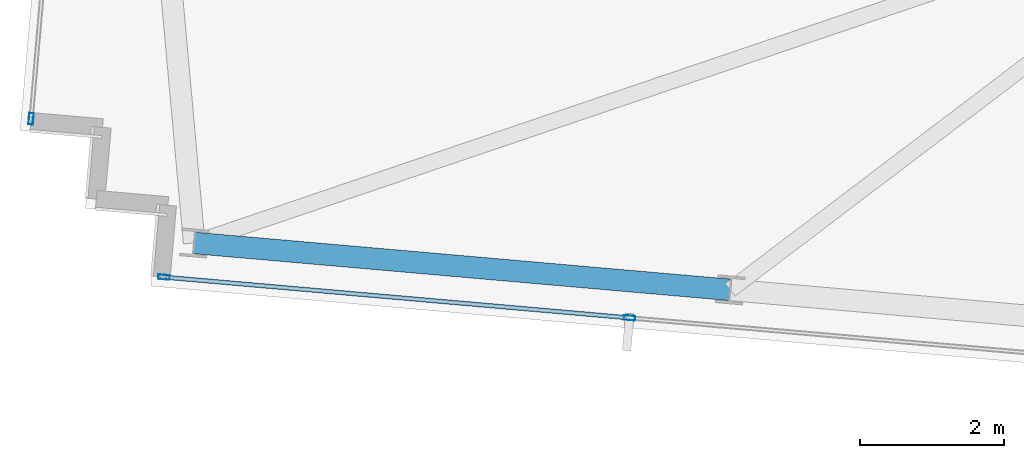
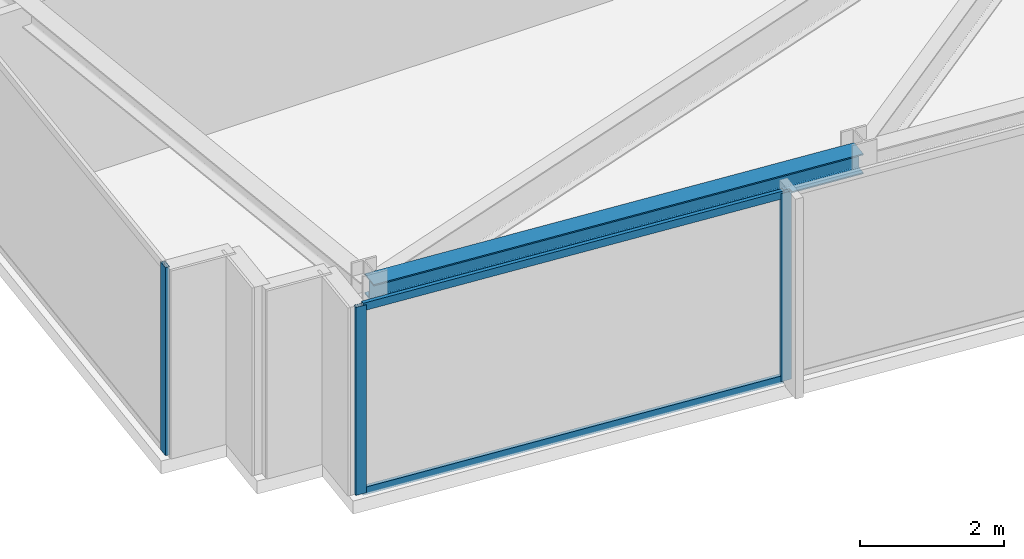
# One storey, part 2 of 32: 5 members, 1 beam, 2 elements without a shape of their own.
"""IFC4 building model written with IfcOpenShell, lengths in metres."""

from ifc_helpers import new_model, si_unit, direction, frame, origin, origin_2d, place, context, subcontext, project, spatial, hollow_rectangle, i_section, extrude, material, material_profile, profile_set, type_object, element, aggregate, save


model = new_model("IFC4")

# Units and contexts
model_context = context("Model", 3, precision=1e-05, world=origin(), true_north=direction((0.0, 1.0)))
body_context = subcontext(model_context, "Body", "Model", "MODEL_VIEW")
ifc_project = project(units=[si_unit("LENGTHUNIT", "METRE"), si_unit("AREAUNIT", "SQUARE_METRE"), si_unit("VOLUMEUNIT", "CUBIC_METRE"), si_unit("PLANEANGLEUNIT", "RADIAN"), si_unit("MASSUNIT", "GRAM", prefix="KILO")], contexts=[model_context])

# Site, building, storey
site_placement = place(None, origin())
site = spatial("IfcSite", under=ifc_project, at=site_placement, CompositionType="ELEMENT")
building_placement = place(site_placement, origin())
building = spatial("IfcBuilding", under=site, at=building_placement, Name="Yelkora Congress Tower", CompositionType="ELEMENT")
storey_placement = place(building_placement, frame((0.0, 0.0, 272.699951171875)))
storey = spatial("IfcBuildingStorey", under=building, at=storey_placement, Name="L76", CompositionType="ELEMENT", Elevation=272.699951171875)

# Beam
ifc_material_1 = material(Name="Steel S355J2", Category="steel")
ifc_material_profile_1 = material_profile(ifc_material_1, i_section(OverallWidth=0.300048828125, OverallDepth=0.340087890625, WebThickness=0.011962890625, FlangeThickness=0.021484375, FilletRadius=0.027099609375, at=origin_2d()), Name="HEB 340")
ifc_profile_set_1 = profile_set([ifc_material_profile_1], Name="Steel S355J2")
beam_type = type_object("IfcBeamType", Name="BM-SPAN-HEB340", PredefinedType="SPANDREL", material=ifc_profile_set_1)
beam_placement = place(storey_placement, frame((7.998046875, 20.097900390625, 3.010009765625), z_axis=(0.996193186297, -0.08717302092, 0.0), x_axis=(0.08717302092, 0.996193186297, 0.0)))
element("IfcBeam", 1, at=beam_placement, inside=storey, type_object=beam_type, Name="L76 Perimeter Beam 1", PredefinedType="SPANDREL", context=body_context, shape_type="SweptSolid", body=[
    extrude(i_section(OverallWidth=0.300048828125, OverallDepth=0.340087890625, WebThickness=0.011962890625, FlangeThickness=0.021484375, FilletRadius=0.027099609375, at=origin_2d()), origin(), (0.0, 0.0, 1.0), 7.4833984375),
])

# Curtain wall, member
ifc_material_2 = material(Name="Anodised aluminium and insulated glass", Category="aluminium")
curtain_wall_type = type_object("IfcCurtainWallType", Name="CW-SYS-B5", PredefinedType="NOTDEFINED", material=ifc_material_2)
curtain_wall_1_placement = place(storey_placement, origin())
curtain_wall_1 = element("IfcCurtainWall", 2, at=curtain_wall_1_placement, inside=storey, type_object=curtain_wall_type, Name="L76 Unitised Curtain Wall 5", PredefinedType="NOTDEFINED")
ifc_material_3 = material(Name="Anodised aluminium 6063-T6", Category="aluminium")
ifc_material_profile_2 = material_profile(ifc_material_3, hollow_rectangle(XDim=0.06494140625, YDim=0.159912109375, WallThickness=0.00390625, at=origin_2d()), Name="ALU 65x160x4")
ifc_profile_set_2 = profile_set([ifc_material_profile_2], Name="Anodised aluminium 6063-T6")
member_type_1 = type_object("IfcMemberType", Name="MEM-ML-B5", PredefinedType="MULLION", material=ifc_profile_set_2)
member_1_placement = place(storey_placement, frame((5.72998046875, 21.824462890625, 0.0), z_axis=(0.0, 0.0, 1.0), x_axis=(-0.996194785929, 0.08715473876, 0.0)))
member_1 = element("IfcMember", 3, at=member_1_placement, type_object=member_type_1, Name="CW-B5 mullion 1", PredefinedType="MULLION", context=body_context, shape_type="SweptSolid", body=[
    extrude(hollow_rectangle(XDim=0.06494140625, YDim=0.159912109375, WallThickness=0.00390625, at=origin_2d()), origin(), (0.0, 0.0, 1.0), 3.179931640625),
])
aggregate(curtain_wall_1, [member_1])

# Curtain wall, members
curtain_wall_2_placement = place(storey_placement, origin())
curtain_wall_2 = element("IfcCurtainWall", 4, at=curtain_wall_2_placement, inside=storey, type_object=curtain_wall_type, Name="L76 Unitised Curtain Wall 20", PredefinedType="NOTDEFINED")
member_2_placement = place(storey_placement, frame((14.0517578125, 19.05615234375, 0.0), z_axis=(0.0, 0.0, 1.0), x_axis=(-0.087156829793, -0.996194602987, 0.0)))
member_2 = element("IfcMember", 5, at=member_2_placement, type_object=member_type_1, Name="CW-B5 mullion 7", PredefinedType="MULLION", context=body_context, shape_type="SweptSolid", body=[
    extrude(hollow_rectangle(XDim=0.06494140625, YDim=0.159912109375, WallThickness=0.00390625, at=origin_2d()), origin(), (0.0, 0.0, 1.0), 3.179931640625),
])
member_3_placement = place(storey_placement, frame((7.57763671875, 19.62255859375, 0.0), z_axis=(0.0, 0.0, 1.0), x_axis=(-0.087156829793, -0.996194602987, 0.0)))
member_3 = element("IfcMember", 6, at=member_3_placement, type_object=member_type_1, Name="CW-B5 mullion 8", PredefinedType="MULLION", context=body_context, shape_type="SweptSolid", body=[
    extrude(hollow_rectangle(XDim=0.06494140625, YDim=0.159912109375, WallThickness=0.00390625, at=origin_2d()), origin(), (0.0, 0.0, 1.0), 3.179931640625),
])
ifc_material_profile_3 = material_profile(ifc_material_3, hollow_rectangle(XDim=0.06005859375, YDim=0.1298828125, WallThickness=0.00390625, at=origin_2d()), Name="ALU 60x130x4")
ifc_profile_set_3 = profile_set([ifc_material_profile_3], Name="Anodised aluminium 6063-T6")
member_type_2 = type_object("IfcMemberType", Name="MEM-TR-B5", PredefinedType="USERDEFINED", material=ifc_profile_set_3)
member_4_placement = place(storey_placement, frame((14.019287109375, 19.05908203125, 0.030029296875), z_axis=(-0.996194170551, 0.08716177236, 0.0), x_axis=(-0.08716177236, -0.996194170551, 0.0)))
member_4 = element("IfcMember", 7, at=member_4_placement, type_object=member_type_2, Name="CW-B5 transom 7.1", ObjectType="TRANSOM", PredefinedType="USERDEFINED", context=body_context, shape_type="SweptSolid", body=[
    extrude(hollow_rectangle(XDim=0.06005859375, YDim=0.1298828125, WallThickness=0.00390625, at=origin_2d()), origin(), (0.0, 0.0, 1.0), 6.433837890625),
])
member_5_placement = place(storey_placement, frame((14.019287109375, 19.05908203125, 3.150146484375), z_axis=(-0.996194170551, 0.08716177236, 0.0), x_axis=(-0.08716177236, -0.996194170551, 0.0)))
member_5 = element("IfcMember", 8, at=member_5_placement, type_object=member_type_2, Name="CW-B5 transom 7.2", ObjectType="TRANSOM", PredefinedType="USERDEFINED", context=body_context, shape_type="SweptSolid", body=[
    extrude(hollow_rectangle(XDim=0.06005859375, YDim=0.1298828125, WallThickness=0.00390625, at=origin_2d()), origin(), (0.0, 0.0, 1.0), 6.433837890625),
])
aggregate(curtain_wall_2, [member_2, member_3, member_4, member_5])

save(model, "model.ifc")
